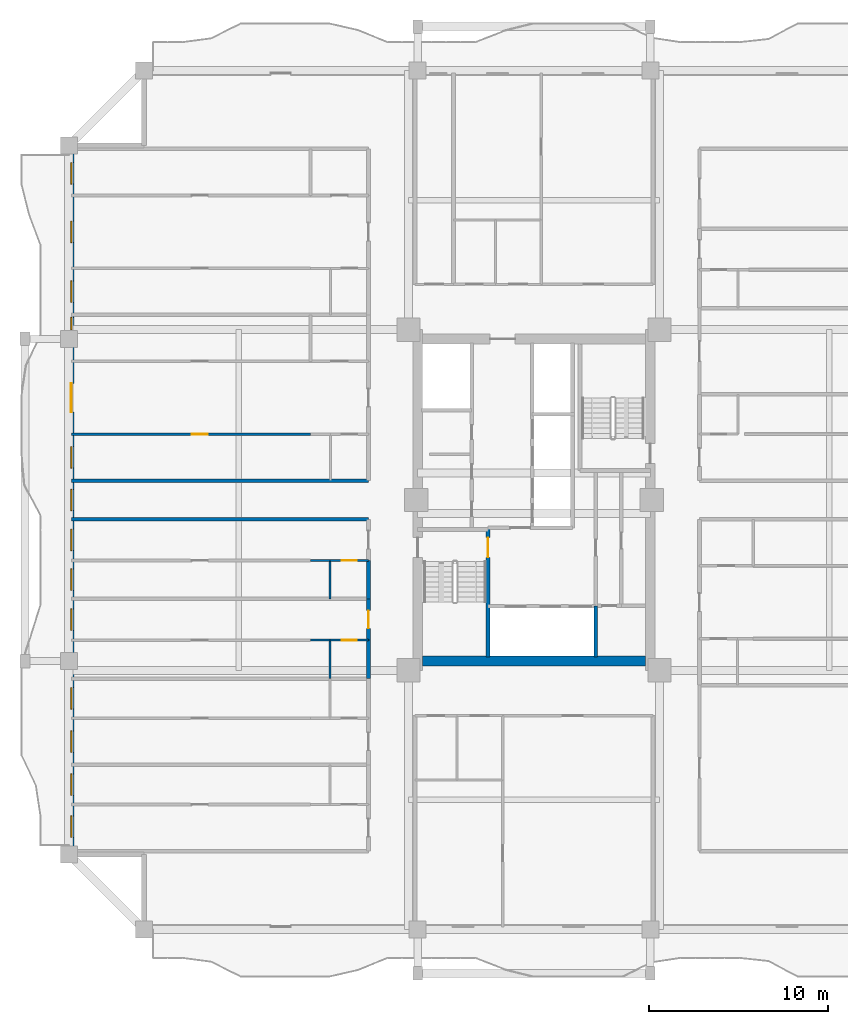
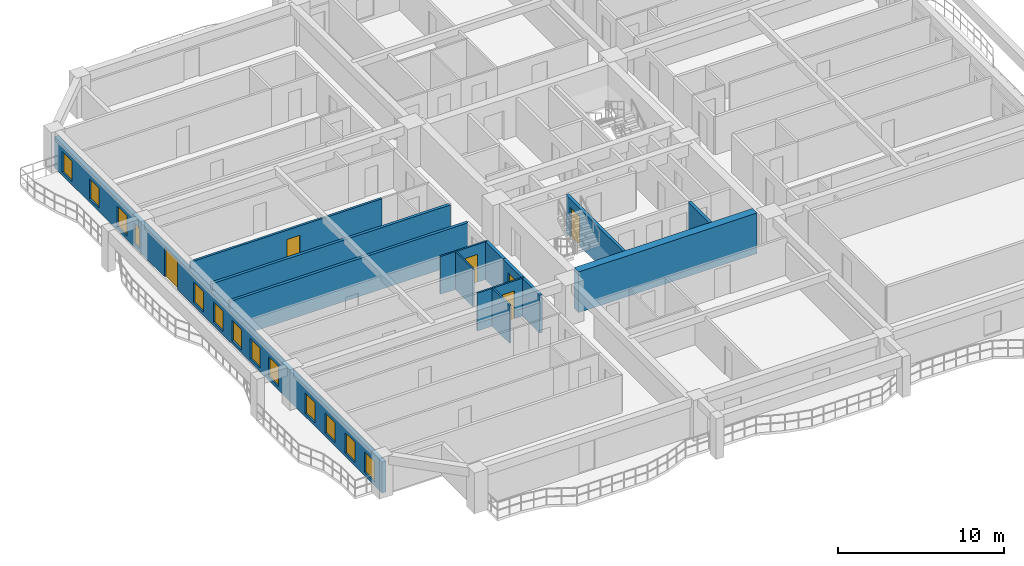
# One storey, part 3 of 13: 16 walls, 13 windows, 6 doors, 19 openings.
"""IFC4 building model written with IfcOpenShell, lengths in metres."""

import ifcopenshell
import ifcopenshell.guid

model = None  # the IFC model being written
_history = None  # IfcOwnerHistory: only IFC2X3 demands one
_inside = {}  # id of a spatial element -> (the spatial element, [elements in it])
_under = {}  # id of a project, library or spatial element -> (it, [spatial elements below it])
_declared = {}  # id of a project -> (the project, [libraries it declares])
_typed = {}  # id of a type object -> (the type object, [elements of that type])
_made_of = {}  # id of a material, layer set ... -> (it, [elements and type objects made of it])


def new_model(schema):
    """Start an empty IFC model of exactly this schema.

    Asked for "IFC4X3", IfcOpenShell would pick the latest addendum, in which some entities
    have other attributes; the version numbers below select the first issue.
    IFC2X3 requires an IfcOwnerHistory on every rooted entity: one is made here for all.
    """
    global model, _history
    if schema == "IFC4X3":
        model = ifcopenshell.file(schema_version=(4, 3, 0, 0))
    else:
        model = ifcopenshell.file(schema=schema)
    _inside.clear()
    _under.clear()
    _declared.clear()
    _typed.clear()
    _made_of.clear()
    _history = None
    if model.schema == "IFC2X3":
        org = make("IfcOrganization", Name="unknown")
        user = make(
            "IfcPersonAndOrganization",
            ThePerson=make("IfcPerson", FamilyName="unknown"),
            TheOrganization=org,
        )
        app = make(
            "IfcApplication",
            ApplicationDeveloper=org,
            Version="unknown",
            ApplicationFullName="unknown",
            ApplicationIdentifier="unknown",
        )
        _history = make(
            "IfcOwnerHistory",
            OwningUser=user,
            OwningApplication=app,
            ChangeAction="ADDED",
            CreationDate=0,
        )
    return model


def make(cls, **values):
    """One entity of the class cls with the attributes given. An attribute that is None is left unset."""
    return model.create_entity(
        cls, **{name: value for name, value in values.items() if value is not None}
    )


def rooted(cls, **values):
    """An entity with a GlobalId (a new one), such as an element, a storey or a relation."""
    return make(cls, GlobalId=ifcopenshell.guid.new(), OwnerHistory=_history, **values)


def si_unit(unit_type, name, prefix=None):
    """IfcSIUnit, for example si_unit("LENGTHUNIT", "METRE", prefix="MILLI")."""
    return make("IfcSIUnit", UnitType=unit_type, Prefix=prefix, Name=name)


def assignment(units):
    """IfcUnitAssignment: the units of a project."""
    return None if units is None else make("IfcUnitAssignment", Units=units)


def point(xyz):
    """IfcCartesianPoint."""
    return None if xyz is None else make("IfcCartesianPoint", Coordinates=xyz)


def direction(xyz):
    """IfcDirection."""
    return None if xyz is None else make("IfcDirection", DirectionRatios=xyz)


def frame(location, z_axis=None, x_axis=None):
    """IfcAxis2Placement3D, a coordinate frame: its origin and axes. An axis left out is left unset."""
    return make(
        "IfcAxis2Placement3D",
        Location=point(location),
        Axis=direction(z_axis),
        RefDirection=direction(x_axis),
    )


def frame_2d(location, x_axis=None):
    """IfcAxis2Placement2D, a coordinate frame in the plane: its origin and x axis."""
    return make(
        "IfcAxis2Placement2D", Location=point(location), RefDirection=direction(x_axis)
    )


def origin():
    """The frame at (0, 0, 0) with its axes left unset."""
    return frame((0.0, 0.0, 0.0))


def place(relative_to, where):
    """IfcLocalPlacement: puts the frame where relative to a parent placement (None: the world)."""
    return make(
        "IfcLocalPlacement", PlacementRelTo=relative_to, RelativePlacement=where
    )


def context(
    kind, dimensions, precision=None, world=None, true_north=None, identifier=None
):
    """IfcGeometricRepresentationContext, for example the 3D "Model" context."""
    return make(
        "IfcGeometricRepresentationContext",
        ContextIdentifier=identifier,
        ContextType=kind,
        CoordinateSpaceDimension=dimensions,
        Precision=precision,
        WorldCoordinateSystem=world,
        TrueNorth=true_north,
    )


def subcontext(parent, identifier, kind, view, scale=None):
    """IfcGeometricRepresentationSubContext, for example "Body" below "Model"."""
    return make(
        "IfcGeometricRepresentationSubContext",
        ContextIdentifier=identifier,
        ContextType=kind,
        ParentContext=parent,
        TargetScale=scale,
        TargetView=view,
    )


def project(units=None, contexts=None):
    """IfcProject with its units and contexts."""
    return rooted(
        "IfcProject",
        Name="project",
        RepresentationContexts=contexts,
        UnitsInContext=assignment(units),
    )


def spatial(cls, under=None, at=None, **own):
    """A site, building, storey or space (cls), placed at a placement, below another one or the project."""
    s = rooted(cls, ObjectPlacement=at, **own)
    if under is not None:
        _under.setdefault(under.id(), (under, []))[1].append(s)
    return s


def profile(cls, at=None, kind="AREA", **sizes):
    """A parametric profile (cls). Its sizes go by their IFC names, for example OverallWidth=200.0."""
    return make(cls, ProfileType=kind, Position=at, **sizes)


def rectangle(**sizes):
    """IfcRectangleProfileDef."""
    return profile("IfcRectangleProfileDef", **sizes)


def extrude(swept, where, along, depth):
    """IfcExtrudedAreaSolid: the profile swept, set in the frame where, extruded along a direction by depth."""
    return make(
        "IfcExtrudedAreaSolid",
        SweptArea=swept,
        Position=where,
        ExtrudedDirection=direction(along),
        Depth=depth,
    )


def shape(context_of_items, identifier, shape_type, items):
    """IfcShapeRepresentation: the items that make up one representation, for example the "Body"."""
    return make(
        "IfcShapeRepresentation",
        ContextOfItems=context_of_items,
        RepresentationIdentifier=identifier,
        RepresentationType=shape_type,
        Items=items,
    )


def source(mapping_origin, context_of_items, identifier, shape_type, items):
    """IfcRepresentationMap: a shape defined once, which mapped items show again and again."""
    return make(
        "IfcRepresentationMap",
        MappingOrigin=mapping_origin,
        MappedRepresentation=shape(context_of_items, identifier, shape_type, items),
    )


def transform(
    local_origin,
    x_axis=None,
    y_axis=None,
    z_axis=None,
    scale=None,
    scale2=None,
    scale3=None,
    uniform=True,
):
    """IfcCartesianTransformationOperator3D, or its non-uniform kind. x_axis, y_axis, z_axis: its Axis1, 2, 3."""
    if uniform:
        return make(
            "IfcCartesianTransformationOperator3D",
            Axis1=direction(x_axis),
            Axis2=direction(y_axis),
            LocalOrigin=point(local_origin),
            Scale=scale,
            Axis3=direction(z_axis),
        )
    return make(
        "IfcCartesianTransformationOperator3DnonUniform",
        Axis1=direction(x_axis),
        Axis2=direction(y_axis),
        LocalOrigin=point(local_origin),
        Scale=scale,
        Axis3=direction(z_axis),
        Scale2=scale2,
        Scale3=scale3,
    )


def mapped(mapping_source, mapping_target):
    """IfcMappedItem: shows the shape of a source again, moved by a transform."""
    return make(
        "IfcMappedItem", MappingSource=mapping_source, MappingTarget=mapping_target
    )


def material(Name=None, Category=None):
    """IfcMaterial."""
    return make("IfcMaterial", Name=Name, Category=Category)


def layer(
    of_material, thickness, ventilated=None, Name=None, Category=None, Priority=None
):
    """IfcMaterialLayer: one layer of a wall or slab, of a material (None: an air gap)."""
    return make(
        "IfcMaterialLayer",
        Material=of_material,
        LayerThickness=thickness,
        IsVentilated=ventilated,
        Name=Name,
        Category=Category,
        Priority=Priority,
    )


def layer_set(layers, Name=None):
    """IfcMaterialLayerSet."""
    return make("IfcMaterialLayerSet", MaterialLayers=layers, LayerSetName=Name)


def made_of(thing, what):
    """Note that an element or type object is made of a material, layer set ...; save() writes the relation."""
    if what is not None:
        _made_of.setdefault(what.id(), (what, []))[1].append(thing)
    return thing


def type_object(cls, material=None, **own):
    """A type object (cls), such as IfcWallType, which elements share."""
    return made_of(rooted(cls, **own), material)


def element(
    cls,
    number,
    at=None,
    inside=None,
    cuts=None,
    type_object=None,
    material=None,
    context=None,
    identifier="Body",
    shape_type=None,
    held_by="IfcProductDefinitionShape",
    body=None,
    shapes=None,
    **own,
):
    """One element of the class cls, such as IfcWall. Its Tag is "e" and its number.

    at: its placement. inside: the storey or other place that contains it. cuts: it is an
    opening in that element (IfcRelVoidsElement). A single representation is given by context,
    identifier, shape_type and body (its items); several are given by shapes. held_by: the class
    of the entity that holds the representations. save() writes the other relations.
    """
    e = rooted(cls, Tag="e%d" % number, ObjectPlacement=at, **own)
    if body is not None:
        shapes = [shape(context, identifier, shape_type, body)]
    if shapes is not None:
        e.Representation = make(held_by, Representations=shapes)
    if inside is not None:
        _inside.setdefault(inside.id(), (inside, []))[1].append(e)
    if cuts is not None:
        rooted(
            "IfcRelVoidsElement", RelatingBuildingElement=cuts, RelatedOpeningElement=e
        )
    if type_object is not None:
        _typed.setdefault(type_object.id(), (type_object, []))[1].append(e)
    return made_of(e, material)


def fill(opening, filler):
    """IfcRelFillsElement: the door or window that sits in an opening."""
    return rooted(
        "IfcRelFillsElement",
        RelatingOpeningElement=opening,
        RelatedBuildingElement=filler,
    )


def aggregate(whole, parts):
    """IfcRelAggregates: a whole, such as a stair, and the parts it consists of."""
    return rooted("IfcRelAggregates", RelatingObject=whole, RelatedObjects=parts)


def save(model, path):
    """Write the relations noted so far, then the file.

    IfcRelAggregates (storeys below a building ...), IfcRelContainedInSpatialStructure (elements
    in a storey), IfcRelDefinesByType, IfcRelAssociatesMaterial and IfcRelDeclares: one each for
    every whole, place, type object, material and project.
    """
    for whole, parts in _under.values():
        aggregate(whole, parts)
    for where, things in _inside.values():
        rooted(
            "IfcRelContainedInSpatialStructure",
            RelatedElements=things,
            RelatingStructure=where,
        )
    for kind, things in _typed.values():
        rooted("IfcRelDefinesByType", RelatedObjects=things, RelatingType=kind)
    for what, things in _made_of.values():
        rooted("IfcRelAssociatesMaterial", RelatedObjects=things, RelatingMaterial=what)
    for by, libraries in _declared.values():
        rooted("IfcRelDeclares", RelatingContext=by, RelatedDefinitions=libraries)
    model.write(path)


model = new_model("IFC4")

# Units and contexts
model_context = context("Model", 3, precision=1e-05, world=origin(), true_north=direction((0.0, 1.0)))
body_context = subcontext(model_context, "Body", "Model", "MODEL_VIEW")
ifc_project = project(units=[si_unit("LENGTHUNIT", "METRE"), si_unit("AREAUNIT", "SQUARE_METRE"), si_unit("VOLUMEUNIT", "CUBIC_METRE"), si_unit("PLANEANGLEUNIT", "RADIAN"), si_unit("MASSUNIT", "GRAM", prefix="KILO")], contexts=[model_context])

# Site, building, storey
site_placement = place(None, origin())
site = spatial("IfcSite", under=ifc_project, at=site_placement, CompositionType="ELEMENT")
building_placement = place(site_placement, origin())
building = spatial("IfcBuilding", under=site, at=building_placement, Name="Saelheon Loggia Tower", CompositionType="ELEMENT")
storey_placement = place(building_placement, frame((0.0, 0.0, 132.75)))
storey = spatial("IfcBuildingStorey", under=building, at=storey_placement, Name="L42", CompositionType="ELEMENT", Elevation=132.75)

# Wall
ifc_material_1 = material(Name="Concrete C50/60", Category="concrete")
ifc_layer_1 = layer(ifc_material_1, 0.550048828125)
ifc_layer_set_1 = layer_set([ifc_layer_1], Name="Concrete C50/60")
wall_type_1 = type_object("IfcWallType", Name="Wall_CoreShear_550", PredefinedType="SHEAR", material=ifc_layer_set_1)
wall_1_placement = place(storey_placement, frame((31.77490234375, 18.0, 0.0), z_axis=(0.0, 0.0, 1.0), x_axis=(1.0, 0.0, 0.0)))
element("IfcWall", 1, at=wall_1_placement, inside=storey, type_object=wall_type_1, Name="L42 Core Shear Wall South", PredefinedType="SHEAR", context=body_context, shape_type="SweptSolid", body=[
    extrude(rectangle(XDim=12.4501953125, YDim=0.550048828125, at=frame_2d((6.22509765625, 0.0))), origin(), (0.0, 0.0, 1.0), 3.0),
])

# Wall, openings, windows, door
ifc_material_2 = material(Name="Architectural Precast Concrete C40/50", Category="concrete")
ifc_layer_2 = layer(ifc_material_2, 0.280029296875)
ifc_layer_set_2 = layer_set([ifc_layer_2], Name="Architectural Precast Concrete C40/50")
wall_type_2 = type_object("IfcWallType", Name="Wall_Ext_Loggia_280", PredefinedType="SOLIDWALL", material=ifc_layer_set_2)
wall_2_placement = place(storey_placement, frame((12.139892578125, 7.199951171875, 0.0), z_axis=(0.0, 0.0, 1.0), x_axis=(0.0, 1.0, 0.0)))
wall_2 = element("IfcWall", 2, at=wall_2_placement, inside=storey, type_object=wall_type_2, Name="L42 West Loggia Inner Wall", PredefinedType="SOLIDWALL", context=body_context, shape_type="SweptSolid", body=[
    extrude(rectangle(XDim=39.60009765625, YDim=0.280029296875, at=frame_2d((19.800048828125, 0.0))), origin(), (0.0, 0.0, 1.0), 2.280029296875),
])
opening_1_placement = place(wall_2_placement, frame((0.948974609375, 0.0, 0.25)))
opening_1 = element("IfcOpeningElement", 3, at=opening_1_placement, cuts=wall_2, Name="Opening WN-03", PredefinedType="OPENING", context=body_context, shape_type="SweptSolid", body=[
    extrude(rectangle(XDim=1.199951171875, YDim=1.5, at=frame_2d((0.60009765625, 0.75))), frame((0.0, 0.152099609375, 0.0), z_axis=(0.0, -1.0, 0.0), x_axis=(1.0, 0.0, 0.0)), (0.0, 0.0, 1.0), 0.303955078125),
])
opening_2_placement = place(wall_2_placement, frame((3.291748046875, 0.0, 0.25)))
opening_2 = element("IfcOpeningElement", 4, at=opening_2_placement, cuts=wall_2, Name="Opening WN-03", PredefinedType="OPENING", context=body_context, shape_type="SweptSolid", body=[
    extrude(rectangle(XDim=1.199951171875, YDim=1.5, at=frame_2d((0.60009765625, 0.75))), frame((0.0, 0.152099609375, 0.0), z_axis=(0.0, -1.0, 0.0), x_axis=(1.0, 0.0, 0.0)), (0.0, 0.0, 1.0), 0.303955078125),
])
opening_3_placement = place(wall_2_placement, frame((5.701904296875, 0.0, 0.25)))
opening_3 = element("IfcOpeningElement", 5, at=opening_3_placement, cuts=wall_2, Name="Opening WN-03", PredefinedType="OPENING", context=body_context, shape_type="SweptSolid", body=[
    extrude(rectangle(XDim=1.199951171875, YDim=1.5, at=frame_2d((0.60009765625, 0.75))), frame((0.0, 0.152099609375, 0.0), z_axis=(0.0, -1.0, 0.0), x_axis=(1.0, 0.0, 0.0)), (0.0, 0.0, 1.0), 0.303955078125),
])
opening_4_placement = place(wall_2_placement, frame((8.112060546875, 0.0, 0.25)))
opening_4 = element("IfcOpeningElement", 6, at=opening_4_placement, cuts=wall_2, Name="Opening WN-03", PredefinedType="OPENING", context=body_context, shape_type="SweptSolid", body=[
    extrude(rectangle(XDim=1.199951171875, YDim=1.5, at=frame_2d((0.60009765625, 0.75))), frame((0.0, 0.152099609375, 0.0), z_axis=(0.0, -1.0, 0.0), x_axis=(1.0, 0.0, 0.0)), (0.0, 0.0, 1.0), 0.303955078125),
])
opening_5_placement = place(wall_2_placement, frame((12.5205078125, 0.0, 0.25)))
opening_5 = element("IfcOpeningElement", 7, at=opening_5_placement, cuts=wall_2, Name="Opening WN-03", PredefinedType="OPENING", context=body_context, shape_type="SweptSolid", body=[
    extrude(rectangle(XDim=1.199951171875, YDim=1.5, at=frame_2d((0.60009765625, 0.75))), frame((0.0, 0.152099609375, 0.0), z_axis=(0.0, -1.0, 0.0), x_axis=(1.0, 0.0, 0.0)), (0.0, 0.0, 1.0), 0.303955078125),
])
opening_6_placement = place(wall_2_placement, frame((14.745361328125, 0.0, 0.25)))
opening_6 = element("IfcOpeningElement", 8, at=opening_6_placement, cuts=wall_2, Name="Opening WN-03", PredefinedType="OPENING", context=body_context, shape_type="SweptSolid", body=[
    extrude(rectangle(XDim=1.199951171875, YDim=1.5, at=frame_2d((0.60009765625, 0.75))), frame((0.0, 0.152099609375, 0.0), z_axis=(0.0, -1.0, 0.0), x_axis=(1.0, 0.0, 0.0)), (0.0, 0.0, 1.0), 0.303955078125),
])
opening_7_placement = place(wall_2_placement, frame((16.97021484375, 0.0, 0.25)))
opening_7 = element("IfcOpeningElement", 9, at=opening_7_placement, cuts=wall_2, Name="Opening WN-03", PredefinedType="OPENING", context=body_context, shape_type="SweptSolid", body=[
    extrude(rectangle(XDim=1.199951171875, YDim=1.5, at=frame_2d((0.60009765625, 0.75))), frame((0.0, 0.152099609375, 0.0), z_axis=(0.0, -1.0, 0.0), x_axis=(1.0, 0.0, 0.0)), (0.0, 0.0, 1.0), 0.303955078125),
])
opening_8_placement = place(wall_2_placement, frame((19.199951171875, 0.0, 0.25)))
opening_8 = element("IfcOpeningElement", 10, at=opening_8_placement, cuts=wall_2, Name="Opening WN-03", PredefinedType="OPENING", context=body_context, shape_type="SweptSolid", body=[
    extrude(rectangle(XDim=1.199951171875, YDim=1.5, at=frame_2d((0.60009765625, 0.75))), frame((0.0, 0.152099609375, 0.0), z_axis=(0.0, -1.0, 0.0), x_axis=(1.0, 0.0, 0.0)), (0.0, 0.0, 1.0), 0.303955078125),
])
opening_9_placement = place(wall_2_placement, frame((21.577880859375, 0.0, 0.25)))
opening_9 = element("IfcOpeningElement", 11, at=opening_9_placement, cuts=wall_2, Name="Opening WN-03", PredefinedType="OPENING", context=body_context, shape_type="SweptSolid", body=[
    extrude(rectangle(XDim=1.199951171875, YDim=1.5, at=frame_2d((0.60009765625, 0.75))), frame((0.0, 0.152099609375, 0.0), z_axis=(0.0, -1.0, 0.0), x_axis=(1.0, 0.0, 0.0)), (0.0, 0.0, 1.0), 0.303955078125),
])
opening_10_placement = place(wall_2_placement, frame((24.712890625, 0.0, 0.0)))
opening_10 = element("IfcOpeningElement", 12, at=opening_10_placement, cuts=wall_2, Name="Opening DLG-1", PredefinedType="OPENING", context=body_context, shape_type="SweptSolid", body=[
    extrude(rectangle(XDim=1.60009765625, YDim=2.14990234375, at=frame_2d((0.800048828125, 1.074951171875))), frame((0.0, 0.152099609375, 0.0), z_axis=(0.0, -1.0, 0.0), x_axis=(1.0, 0.0, 0.0)), (0.0, 0.0, 1.0), 0.303955078125),
])
opening_11_placement = place(wall_2_placement, frame((29.304931640625, 0.0, 0.25)))
opening_11 = element("IfcOpeningElement", 13, at=opening_11_placement, cuts=wall_2, Name="Opening WN-06", PredefinedType="OPENING", context=body_context, shape_type="SweptSolid", body=[
    extrude(rectangle(XDim=0.699951171875, YDim=1.5, at=frame_2d((0.35009765625, 0.75))), frame((0.0, 0.152099609375, 0.0), z_axis=(0.0, -1.0, 0.0), x_axis=(1.0, 0.0, 0.0)), (0.0, 0.0, 1.0), 0.303955078125),
])
opening_12_placement = place(wall_2_placement, frame((30.847900390625, 0.0, 0.25)))
opening_12 = element("IfcOpeningElement", 14, at=opening_12_placement, cuts=wall_2, Name="Opening WN-03", PredefinedType="OPENING", context=body_context, shape_type="SweptSolid", body=[
    extrude(rectangle(XDim=1.199951171875, YDim=1.5, at=frame_2d((0.60009765625, 0.75))), frame((0.0, 0.152099609375, 0.0), z_axis=(0.0, -1.0, 0.0), x_axis=(1.0, 0.0, 0.0)), (0.0, 0.0, 1.0), 0.303955078125),
])
opening_13_placement = place(wall_2_placement, frame((34.182861328125, 0.0, 0.25)))
opening_13 = element("IfcOpeningElement", 15, at=opening_13_placement, cuts=wall_2, Name="Opening WN-03", PredefinedType="OPENING", context=body_context, shape_type="SweptSolid", body=[
    extrude(rectangle(XDim=1.199951171875, YDim=1.5, at=frame_2d((0.60009765625, 0.75))), frame((0.0, 0.152099609375, 0.0), z_axis=(0.0, -1.0, 0.0), x_axis=(1.0, 0.0, 0.0)), (0.0, 0.0, 1.0), 0.303955078125),
])
opening_14_placement = place(wall_2_placement, frame((37.452392578125, 0.0, 0.25)))
opening_14 = element("IfcOpeningElement", 16, at=opening_14_placement, cuts=wall_2, Name="Opening WN-03", PredefinedType="OPENING", context=body_context, shape_type="SweptSolid", body=[
    extrude(rectangle(XDim=1.199951171875, YDim=1.5, at=frame_2d((0.60009765625, 0.75))), frame((0.0, 0.152099609375, 0.0), z_axis=(0.0, -1.0, 0.0), x_axis=(1.0, 0.0, 0.0)), (0.0, 0.0, 1.0), 0.303955078125),
])
ifc_material_3 = material(Name="Thermal-Break Aluminium and Triple Low-E Glass", Category="aluminium")
window_type_1 = type_object("IfcWindowType", Name="Win_Slot_700x1500", PartitioningType="SINGLE_PANEL", PredefinedType="WINDOW", material=ifc_material_3)
shared_shape_1 = source(origin(), body_context, "Body", "SweptSolid", [
    extrude(rectangle(XDim=0.699951171875, YDim=1.5, at=frame_2d((0.35009765625, 0.75))), frame((0.0, 0.030029296875, 0.0), z_axis=(0.0, -1.0, 0.0), x_axis=(1.0, 0.0, 0.0)), (0.0, 0.0, 1.0), 0.06005859375),
])
window_1_placement = place(opening_11_placement, origin())
window_1 = element("IfcWindow", 17, at=window_1_placement, inside=storey, type_object=window_type_1, Name="L42 W Dwelling Window 11", OverallHeight=1.5, OverallWidth=0.699951171875, PartitioningType="SINGLE_PANEL", PredefinedType="WINDOW", context=body_context, shape_type="MappedRepresentation", body=[
    mapped(shared_shape_1, transform((0.0, 0.0, 0.0), scale=1.0)),
])
fill(opening_11, window_1)
window_type_2 = type_object("IfcWindowType", Name="Win_Bedroom_1200x1500", PartitioningType="SINGLE_PANEL", PredefinedType="WINDOW", material=ifc_material_3)
shared_shape_2 = source(origin(), body_context, "Body", "SweptSolid", [
    extrude(rectangle(XDim=1.199951171875, YDim=1.5, at=frame_2d((0.60009765625, 0.75))), frame((0.0, 0.030029296875, 0.0), z_axis=(0.0, -1.0, 0.0), x_axis=(1.0, 0.0, 0.0)), (0.0, 0.0, 1.0), 0.06005859375),
])
window_2_placement = place(opening_1_placement, origin())
window_2 = element("IfcWindow", 18, at=window_2_placement, inside=storey, type_object=window_type_2, Name="L42 W Dwelling Window 1", OverallHeight=1.5, OverallWidth=1.199951171875, PartitioningType="SINGLE_PANEL", PredefinedType="WINDOW", context=body_context, shape_type="MappedRepresentation", body=[
    mapped(shared_shape_2, transform((0.0, 0.0, 0.0), scale=1.0)),
])
fill(opening_1, window_2)
window_3_placement = place(opening_2_placement, origin())
window_3 = element("IfcWindow", 19, at=window_3_placement, inside=storey, type_object=window_type_2, Name="L42 W Dwelling Window 2", OverallHeight=1.5, OverallWidth=1.199951171875, PartitioningType="SINGLE_PANEL", PredefinedType="WINDOW", context=body_context, shape_type="MappedRepresentation", body=[
    mapped(shared_shape_2, transform((0.0, 0.0, 0.0), scale=1.0)),
])
fill(opening_2, window_3)
window_4_placement = place(opening_3_placement, origin())
window_4 = element("IfcWindow", 20, at=window_4_placement, inside=storey, type_object=window_type_2, Name="L42 W Dwelling Window 3", OverallHeight=1.5, OverallWidth=1.199951171875, PartitioningType="SINGLE_PANEL", PredefinedType="WINDOW", context=body_context, shape_type="MappedRepresentation", body=[
    mapped(shared_shape_2, transform((0.0, 0.0, 0.0), scale=1.0)),
])
fill(opening_3, window_4)
window_5_placement = place(opening_4_placement, origin())
window_5 = element("IfcWindow", 21, at=window_5_placement, inside=storey, type_object=window_type_2, Name="L42 W Dwelling Window 4", OverallHeight=1.5, OverallWidth=1.199951171875, PartitioningType="SINGLE_PANEL", PredefinedType="WINDOW", context=body_context, shape_type="MappedRepresentation", body=[
    mapped(shared_shape_2, transform((0.0, 0.0, 0.0), scale=1.0)),
])
fill(opening_4, window_5)
window_6_placement = place(opening_5_placement, origin())
window_6 = element("IfcWindow", 22, at=window_6_placement, inside=storey, type_object=window_type_2, Name="L42 W Dwelling Window 5", OverallHeight=1.5, OverallWidth=1.199951171875, PartitioningType="SINGLE_PANEL", PredefinedType="WINDOW", context=body_context, shape_type="MappedRepresentation", body=[
    mapped(shared_shape_2, transform((0.0, 0.0, 0.0), scale=1.0)),
])
fill(opening_5, window_6)
window_7_placement = place(opening_6_placement, origin())
window_7 = element("IfcWindow", 23, at=window_7_placement, inside=storey, type_object=window_type_2, Name="L42 W Dwelling Window 6", OverallHeight=1.5, OverallWidth=1.199951171875, PartitioningType="SINGLE_PANEL", PredefinedType="WINDOW", context=body_context, shape_type="MappedRepresentation", body=[
    mapped(shared_shape_2, transform((0.0, 0.0, 0.0), scale=1.0)),
])
fill(opening_6, window_7)
window_8_placement = place(opening_7_placement, origin())
window_8 = element("IfcWindow", 24, at=window_8_placement, inside=storey, type_object=window_type_2, Name="L42 W Dwelling Window 7", OverallHeight=1.5, OverallWidth=1.199951171875, PartitioningType="SINGLE_PANEL", PredefinedType="WINDOW", context=body_context, shape_type="MappedRepresentation", body=[
    mapped(shared_shape_2, transform((0.0, 0.0, 0.0), scale=1.0)),
])
fill(opening_7, window_8)
window_9_placement = place(opening_8_placement, origin())
window_9 = element("IfcWindow", 25, at=window_9_placement, inside=storey, type_object=window_type_2, Name="L42 W Dwelling Window 8", OverallHeight=1.5, OverallWidth=1.199951171875, PartitioningType="SINGLE_PANEL", PredefinedType="WINDOW", context=body_context, shape_type="MappedRepresentation", body=[
    mapped(shared_shape_2, transform((0.0, 0.0, 0.0), scale=1.0)),
])
fill(opening_8, window_9)
window_10_placement = place(opening_9_placement, origin())
window_10 = element("IfcWindow", 26, at=window_10_placement, inside=storey, type_object=window_type_2, Name="L42 W Dwelling Window 9", OverallHeight=1.5, OverallWidth=1.199951171875, PartitioningType="SINGLE_PANEL", PredefinedType="WINDOW", context=body_context, shape_type="MappedRepresentation", body=[
    mapped(shared_shape_2, transform((0.0, 0.0, 0.0), scale=1.0)),
])
fill(opening_9, window_10)
window_11_placement = place(opening_12_placement, origin())
window_11 = element("IfcWindow", 27, at=window_11_placement, inside=storey, type_object=window_type_2, Name="L42 W Dwelling Window 12", OverallHeight=1.5, OverallWidth=1.199951171875, PartitioningType="SINGLE_PANEL", PredefinedType="WINDOW", context=body_context, shape_type="MappedRepresentation", body=[
    mapped(shared_shape_2, transform((0.0, 0.0, 0.0), scale=1.0)),
])
fill(opening_12, window_11)
window_12_placement = place(opening_13_placement, origin())
window_12 = element("IfcWindow", 28, at=window_12_placement, inside=storey, type_object=window_type_2, Name="L42 W Dwelling Window 13", OverallHeight=1.5, OverallWidth=1.199951171875, PartitioningType="SINGLE_PANEL", PredefinedType="WINDOW", context=body_context, shape_type="MappedRepresentation", body=[
    mapped(shared_shape_2, transform((0.0, 0.0, 0.0), scale=1.0)),
])
fill(opening_13, window_12)
window_13_placement = place(opening_14_placement, origin())
window_13 = element("IfcWindow", 29, at=window_13_placement, inside=storey, type_object=window_type_2, Name="L42 W Dwelling Window 14", OverallHeight=1.5, OverallWidth=1.199951171875, PartitioningType="SINGLE_PANEL", PredefinedType="WINDOW", context=body_context, shape_type="MappedRepresentation", body=[
    mapped(shared_shape_2, transform((0.0, 0.0, 0.0), scale=1.0)),
])
fill(opening_14, window_13)
ifc_material_4 = material(Name="Thermal-Break Aluminium Sliding Glazed Door", Category="aluminium")
door_type_1 = type_object("IfcDoorType", Name="Door_LoggiaSlide_1600", OperationType="SLIDING_TO_LEFT", PredefinedType="DOOR", material=ifc_material_4)
shared_shape_3 = source(origin(), body_context, "Body", "SweptSolid", [
    extrude(rectangle(XDim=1.60009765625, YDim=2.14990234375, at=frame_2d((0.800048828125, 1.074951171875))), frame((0.0, 0.02490234375, 0.0), z_axis=(0.0, -1.0, 0.0), x_axis=(1.0, 0.0, 0.0)), (0.0, 0.0, 1.0), 0.050048828125),
])
door_1_placement = place(opening_10_placement, origin())
door_1 = element("IfcDoor", 30, at=door_1_placement, inside=storey, type_object=door_type_1, Name="L42 W Loggia Access Door", OperationType="SLIDING_TO_LEFT", OverallHeight=2.14990234375, OverallWidth=1.60009765625, PredefinedType="DOOR", context=body_context, shape_type="MappedRepresentation", body=[
    mapped(shared_shape_3, transform((0.0, 0.0, 0.0), scale=1.0)),
])
fill(opening_10, door_1)

# Wall, opening, door
ifc_material_5 = material(Name="Lightweight Autoclaved Aerated Concrete Block and Acoustic Gypsum", Category="concrete")
ifc_layer_3 = layer(ifc_material_5, 0.14990234375)
ifc_layer_set_3 = layer_set([ifc_layer_3], Name="Lightweight Autoclaved Aerated Concrete Block and Acoustic Gypsum")
wall_type_3 = type_object("IfcWallType", Name="Wall_Part_150", PredefinedType="PARTITIONING", material=ifc_layer_set_3)
wall_3_placement = place(storey_placement, frame((25.510009765625, 30.675537109375, 0.0), z_axis=(0.0, 0.0, 1.0), x_axis=(-1.0, 0.0, 0.0)))
wall_3 = element("IfcWall", 31, at=wall_3_placement, inside=storey, type_object=wall_type_3, Name="L42 WN Partition U10", PredefinedType="PARTITIONING", context=body_context, shape_type="SweptSolid", body=[
    extrude(rectangle(XDim=13.360107421875, YDim=0.14990234375, at=frame_2d((6.68017578125, 0.0))), origin(), (0.0, 0.0, 1.0), 2.7900390625),
])
opening_15_placement = place(wall_3_placement, frame((5.730712890625, 0.0, 0.0)))
opening_15 = element("IfcOpeningElement", 32, at=opening_15_placement, cuts=wall_3, Name="Opening D-IN2", PredefinedType="OPENING", context=body_context, shape_type="SweptSolid", body=[
    extrude(rectangle(XDim=0.89990234375, YDim=2.10009765625, at=frame_2d((0.449951171875, 1.050048828125))), frame((0.0, 0.0869140625, 0.0), z_axis=(0.0, -1.0, 0.0), x_axis=(1.0, 0.0, 0.0)), (0.0, 0.0, 1.0), 0.173828125),
])
ifc_material_6 = material(Name="Engineered Oak Flush Door", Category="timber")
door_type_2 = type_object("IfcDoorType", Name="Door_Int_900", OperationType="NOTDEFINED", PredefinedType="DOOR", material=ifc_material_6)
shared_shape_4 = source(origin(), body_context, "Body", "SweptSolid", [
    extrude(rectangle(XDim=0.89990234375, YDim=2.10009765625, at=frame_2d((0.449951171875, 1.050048828125))), frame((0.0, 0.02490234375, 0.0), z_axis=(0.0, -1.0, 0.0), x_axis=(1.0, 0.0, 0.0)), (0.0, 0.0, 1.0), 0.050048828125),
])
door_2_placement = place(opening_15_placement, origin())
door_2 = element("IfcDoor", 33, at=door_2_placement, inside=storey, type_object=door_type_2, Name="Unit U05 Kitchen Door", OperationType="SINGLE_SWING_LEFT", OverallHeight=2.10009765625, OverallWidth=0.89990234375, PredefinedType="DOOR", context=body_context, shape_type="MappedRepresentation", body=[
    mapped(shared_shape_4, transform((0.0, 0.0, 0.0), scale=1.0)),
])
fill(opening_15, door_2)

# Walls
ifc_material_7 = material(Name="Double Acoustic Stud and Fireboard Partition", Category="gypsum")
ifc_layer_4 = layer(ifc_material_7, 0.199951171875)
ifc_layer_set_4 = layer_set([ifc_layer_4], Name="Double Acoustic Stud and Fireboard Partition")
wall_type_4 = type_object("IfcWallType", Name="Wall_Party_200", PredefinedType="PARTITIONING", material=ifc_layer_set_4)
wall_4_placement = place(storey_placement, frame((28.75, 25.919921875, 0.0), z_axis=(0.0, 0.0, 1.0), x_axis=(-1.0, 0.0, 0.0)))
element("IfcWall", 34, at=wall_4_placement, inside=storey, type_object=wall_type_4, Name="L42 WS Partition U02", PredefinedType="PARTITIONING", context=body_context, shape_type="SweptSolid", body=[
    extrude(rectangle(XDim=16.60009765625, YDim=0.199951171875, at=frame_2d((8.300048828125, 0.0))), origin(), (0.0, 0.0, 1.0), 2.7900390625),
])
wall_5_placement = place(storey_placement, frame((28.75, 17.020751953125, 0.0), z_axis=(0.0, 0.0, 1.0), x_axis=(0.0, 1.0, 0.0)))
element("IfcWall", 35, at=wall_5_placement, inside=storey, type_object=wall_type_4, Name="L42 WS Partition V17", PredefinedType="PARTITIONING", context=body_context, shape_type="SweptSolid", body=[
    extrude(rectangle(XDim=2.150146484375, YDim=0.199951171875, at=frame_2d((1.0751953125, 0.0))), origin(), (0.0, 0.0, 1.0), 2.7900390625),
])

# Wall, opening, door
wall_6_placement = place(storey_placement, frame((28.75, 19.1708984375, 0.0), z_axis=(0.0, 0.0, 1.0), x_axis=(0.0, 1.0, 0.0)))
wall_6 = element("IfcWall", 36, at=wall_6_placement, inside=storey, type_object=wall_type_4, Name="L42 WS Partition V18", PredefinedType="PARTITIONING", context=body_context, shape_type="SweptSolid", body=[
    extrude(rectangle(XDim=2.299560546875, YDim=0.199951171875, at=frame_2d((1.14990234375, 0.0))), origin(), (0.0, 0.0, 1.0), 2.7900390625),
])
opening_16_placement = place(wall_6_placement, frame((0.64990234375, 0.0, 0.0)))
opening_16 = element("IfcOpeningElement", 37, at=opening_16_placement, cuts=wall_6, Name="Opening D-FD1", PredefinedType="OPENING", context=body_context, shape_type="SweptSolid", body=[
    extrude(rectangle(XDim=1.0, YDim=2.14990234375, at=frame_2d((0.5, 1.074951171875))), frame((0.0, 0.112060546875, 0.0), z_axis=(0.0, -1.0, 0.0), x_axis=(1.0, 0.0, 0.0)), (0.0, 0.0, 1.0), 0.223876953125),
])
ifc_material_8 = material(Name="Fire-Rated Engineered Timber Entrance Door", Category="wood")
door_type_3 = type_object("IfcDoorType", Name="Door_Flat_FD30S", OperationType="NOTDEFINED", PredefinedType="DOOR", material=ifc_material_8)
shared_shape_5 = source(origin(), body_context, "Body", "SweptSolid", [
    extrude(rectangle(XDim=1.0, YDim=2.14990234375, at=frame_2d((0.5, 1.074951171875))), frame((0.0, 0.02490234375, 0.0), z_axis=(0.0, -1.0, 0.0), x_axis=(1.0, 0.0, 0.0)), (0.0, 0.0, 1.0), 0.050048828125),
])
door_3_placement = place(opening_16_placement, origin())
door_3 = element("IfcDoor", 38, at=door_3_placement, inside=storey, type_object=door_type_3, Name="Unit U03 Entrance Door", OperationType="SINGLE_SWING_LEFT", OverallHeight=2.14990234375, OverallWidth=1.0, PredefinedType="DOOR", context=body_context, shape_type="MappedRepresentation", body=[
    mapped(shared_shape_5, transform((0.0, 0.0, 0.0), scale=1.0)),
])
fill(opening_16, door_3)

# Walls
wall_7_placement = place(storey_placement, frame((28.75, 21.470458984375, 0.0), z_axis=(0.0, 0.0, 1.0), x_axis=(0.0, 1.0, 0.0)))
element("IfcWall", 39, at=wall_7_placement, inside=storey, type_object=wall_type_4, Name="L42 WS Partition V24", PredefinedType="PARTITIONING", context=body_context, shape_type="SweptSolid", body=[
    extrude(rectangle(XDim=2.14990234375, YDim=0.199951171875, at=frame_2d((1.074951171875, 0.0))), origin(), (0.0, 0.0, 1.0), 2.7900390625),
])
wall_8_placement = place(storey_placement, frame((28.75, 28.080078125, 0.0), z_axis=(0.0, 0.0, 1.0), x_axis=(-1.0, 0.0, 0.0)))
element("IfcWall", 40, at=wall_8_placement, inside=storey, type_object=wall_type_4, Name="L42 WN Partition U01", PredefinedType="PARTITIONING", context=body_context, shape_type="SweptSolid", body=[
    extrude(rectangle(XDim=16.60009765625, YDim=0.199951171875, at=frame_2d((8.300048828125, 0.0))), origin(), (0.0, 0.0, 1.0), 2.7900390625),
])
ifc_material_9 = material(Name="Concrete C40/50", Category="concrete")
ifc_layer_5 = layer(ifc_material_9, 0.199951171875)
ifc_layer_set_5 = layer_set([ifc_layer_5], Name="Concrete C40/50")
wall_type_5 = type_object("IfcWallType", Name="Wall_Shaft_200", PredefinedType="PARTITIONING", material=ifc_layer_set_5)
wall_9_placement = place(storey_placement, frame((41.449951171875, 18.219970703125, 0.0), z_axis=(0.0, 0.0, 1.0), x_axis=(0.0, 1.0, 0.0)))
element("IfcWall", 41, at=wall_9_placement, inside=storey, type_object=wall_type_5, Name="CW-INT-L42-BOH-W0", PredefinedType="PARTITIONING", context=body_context, shape_type="SweptSolid", body=[
    extrude(rectangle(XDim=2.860107421875, YDim=0.199951171875, at=frame_2d((1.43017578125, 0.0))), origin(), (0.0, 0.0, 1.0), 2.7900390625),
])

# Wall, opening, door
ifc_material_10 = material(Name="Concrete C45/55", Category="concrete")
ifc_layer_6 = layer(ifc_material_10, 0.199951171875)
ifc_layer_set_6 = layer_set([ifc_layer_6], Name="Concrete C45/55")
wall_type_6 = type_object("IfcWallType", Name="Wall_StairShaft_RC200", PredefinedType="SOLIDWALL", material=ifc_layer_set_6)
wall_10_placement = place(storey_placement, frame((35.429931640625, 18.219970703125, 0.0), z_axis=(0.0, 0.0, 1.0), x_axis=(0.0, 1.0, 0.0)))
wall_10 = element("IfcWall", 42, at=wall_10_placement, inside=storey, type_object=wall_type_6, Name="L42 Stair ST1 Shaft Wall", PredefinedType="SOLIDWALL", context=body_context, shape_type="SweptSolid", body=[
    extrude(rectangle(XDim=7.219970703125, YDim=0.199951171875, at=frame_2d((3.60986328125, 0.0))), origin(), (0.0, 0.0, 1.0), 2.7900390625),
])
opening_17_placement = place(wall_10_placement, frame((6.68017578125, 0.0, 0.0), z_axis=(0.0, 0.0, 1.0), x_axis=(-1.0, 0.0, 0.0)))
opening_17 = element("IfcOpeningElement", 43, at=opening_17_placement, cuts=wall_10, Name="Opening D-FD2", PredefinedType="OPENING", context=body_context, shape_type="SweptSolid", body=[
    extrude(rectangle(XDim=1.10009765625, YDim=2.14990234375, at=frame_2d((0.550048828125, 1.074951171875))), frame((0.0, 0.112060546875, 0.0), z_axis=(0.0, -1.0, 0.0), x_axis=(1.0, 0.0, 0.0)), (0.0, 0.0, 1.0), 0.223876953125),
])
ifc_material_11 = material(Name="Galvanised Steel Fire Door", Category="steel")
door_type_4 = type_object("IfcDoorType", Name="Door_Fire_FD60_1100", OperationType="NOTDEFINED", PredefinedType="DOOR", material=ifc_material_11)
shared_shape_6 = source(origin(), body_context, "Body", "SweptSolid", [
    extrude(rectangle(XDim=1.10009765625, YDim=2.14990234375, at=frame_2d((0.550048828125, 1.074951171875))), frame((0.0, 0.02490234375, 0.0), z_axis=(0.0, -1.0, 0.0), x_axis=(1.0, 0.0, 0.0)), (0.0, 0.0, 1.0), 0.050048828125),
])
door_4_placement = place(opening_17_placement, origin())
door_4 = element("IfcDoor", 44, at=door_4_placement, inside=storey, type_object=door_type_4, Name="L42 Stair ST1 Lobby Door", OperationType="SINGLE_SWING_RIGHT", OverallHeight=2.14990234375, OverallWidth=1.10009765625, PredefinedType="DOOR", context=body_context, shape_type="MappedRepresentation", body=[
    mapped(shared_shape_6, transform((0.0, 0.0, 0.0), scale=1.0)),
])
fill(opening_17, door_4)

ifc_material_12 = material(Name="Moisture-Resistant Cement Board Partition", Category="gypsum")
ifc_layer_7 = layer(ifc_material_12, 0.1201171875)
ifc_layer_set_7 = layer_set([ifc_layer_7], Name="Moisture-Resistant Cement Board Partition")
wall_type_7 = type_object("IfcWallType", Name="Wall_WetPart_120", PredefinedType="PARTITIONING", material=ifc_layer_set_7)
wall_11_placement = place(storey_placement, frame((28.75, 19.1708984375, 0.0), z_axis=(0.0, 0.0, 1.0), x_axis=(-1.0, 0.0, 0.0)))
wall_11 = element("IfcWall", 45, at=wall_11_placement, inside=storey, type_object=wall_type_7, Name="L42 WS Partition U19", PredefinedType="PARTITIONING", context=body_context, shape_type="SweptSolid", body=[
    extrude(rectangle(XDim=2.14990234375, YDim=0.1201171875, at=frame_2d((1.074951171875, 0.0))), origin(), (0.0, 0.0, 1.0), 2.7900390625),
])
opening_18_placement = place(wall_11_placement, frame((0.64990234375, 0.0, 0.0)))
opening_18 = element("IfcOpeningElement", 46, at=opening_18_placement, cuts=wall_11, Name="Opening D-BT1", PredefinedType="OPENING", context=body_context, shape_type="SweptSolid", body=[
    extrude(rectangle(XDim=0.85009765625, YDim=2.050048828125, at=frame_2d((0.425048828125, 1.02490234375))), frame((0.0, 0.072021484375, 0.0), z_axis=(0.0, -1.0, 0.0), x_axis=(1.0, 0.0, 0.0)), (0.0, 0.0, 1.0), 0.14404296875),
])
ifc_material_13 = material(Name="Moisture-Resistant Laminate Timber Door", Category="wood")
door_type_5 = type_object("IfcDoorType", Name="Door_Bath_850", OperationType="NOTDEFINED", PredefinedType="DOOR", material=ifc_material_13)
shared_shape_7 = source(origin(), body_context, "Body", "SweptSolid", [
    extrude(rectangle(XDim=0.85009765625, YDim=2.050048828125, at=frame_2d((0.425048828125, 1.02490234375))), frame((0.0, 0.02490234375, 0.0), z_axis=(0.0, -1.0, 0.0), x_axis=(1.0, 0.0, 0.0)), (0.0, 0.0, 1.0), 0.050048828125),
])
door_5_placement = place(opening_18_placement, origin())
door_5 = element("IfcDoor", 47, at=door_5_placement, inside=storey, type_object=door_type_5, Name="Unit U03 Bathroom Door", OperationType="SINGLE_SWING_RIGHT", OverallHeight=2.050048828125, OverallWidth=0.85009765625, PredefinedType="DOOR", context=body_context, shape_type="MappedRepresentation", body=[
    mapped(shared_shape_7, transform((0.0, 0.0, 0.0), scale=1.0)),
])
fill(opening_18, door_5)

# Walls
wall_12_placement = place(storey_placement, frame((26.60009765625, 19.1708984375, 0.0), z_axis=(0.0, 0.0, 1.0), x_axis=(-1.0, 0.0, 0.0)))
element("IfcWall", 48, at=wall_12_placement, inside=storey, type_object=wall_type_7, Name="L42 WS Partition U20", PredefinedType="PARTITIONING", context=body_context, shape_type="SweptSolid", body=[
    extrude(rectangle(XDim=1.090087890625, YDim=0.1201171875, at=frame_2d((0.544921875, 0.0))), origin(), (0.0, 0.0, 1.0), 2.7900390625),
])
wall_13_placement = place(storey_placement, frame((26.60009765625, 17.020751953125, 0.0), z_axis=(0.0, 0.0, 1.0), x_axis=(0.0, 1.0, 0.0)))
element("IfcWall", 49, at=wall_13_placement, inside=storey, type_object=wall_type_7, Name="L42 WS Partition V21", PredefinedType="PARTITIONING", context=body_context, shape_type="SweptSolid", body=[
    extrude(rectangle(XDim=2.150146484375, YDim=0.1201171875, at=frame_2d((1.0751953125, 0.0))), origin(), (0.0, 0.0, 1.0), 2.7900390625),
])

# Wall, opening, door
wall_14_placement = place(storey_placement, frame((28.75, 23.620361328125, 0.0), z_axis=(0.0, 0.0, 1.0), x_axis=(-1.0, 0.0, 0.0)))
wall_14 = element("IfcWall", 50, at=wall_14_placement, inside=storey, type_object=wall_type_7, Name="L42 WS Partition U26", PredefinedType="PARTITIONING", context=body_context, shape_type="SweptSolid", body=[
    extrude(rectangle(XDim=2.14990234375, YDim=0.1201171875, at=frame_2d((1.074951171875, 0.0))), origin(), (0.0, 0.0, 1.0), 2.7900390625),
])
opening_19_placement = place(wall_14_placement, frame((0.64990234375, 0.0, 0.0)))
opening_19 = element("IfcOpeningElement", 51, at=opening_19_placement, cuts=wall_14, Name="Opening D-BT1", PredefinedType="OPENING", context=body_context, shape_type="SweptSolid", body=[
    extrude(rectangle(XDim=0.85009765625, YDim=2.050048828125, at=frame_2d((0.425048828125, 1.02490234375))), frame((0.0, 0.072021484375, 0.0), z_axis=(0.0, -1.0, 0.0), x_axis=(1.0, 0.0, 0.0)), (0.0, 0.0, 1.0), 0.14404296875),
])
door_6_placement = place(opening_19_placement, origin())
door_6 = element("IfcDoor", 52, at=door_6_placement, inside=storey, type_object=door_type_5, Name="Unit U04 Bathroom Door", OperationType="SINGLE_SWING_LEFT", OverallHeight=2.050048828125, OverallWidth=0.85009765625, PredefinedType="DOOR", context=body_context, shape_type="MappedRepresentation", body=[
    mapped(shared_shape_7, transform((0.0, 0.0, 0.0), scale=1.0)),
])
fill(opening_19, door_6)

# Walls
wall_15_placement = place(storey_placement, frame((26.60009765625, 23.620361328125, 0.0), z_axis=(0.0, 0.0, 1.0), x_axis=(-1.0, 0.0, 0.0)))
element("IfcWall", 53, at=wall_15_placement, inside=storey, type_object=wall_type_7, Name="L42 WS Partition U27", PredefinedType="PARTITIONING", context=body_context, shape_type="SweptSolid", body=[
    extrude(rectangle(XDim=1.090087890625, YDim=0.1201171875, at=frame_2d((0.544921875, 0.0))), origin(), (0.0, 0.0, 1.0), 2.7900390625),
])
wall_16_placement = place(storey_placement, frame((26.60009765625, 21.470458984375, 0.0), z_axis=(0.0, 0.0, 1.0), x_axis=(0.0, 1.0, 0.0)))
element("IfcWall", 54, at=wall_16_placement, inside=storey, type_object=wall_type_7, Name="L42 WS Partition V28", PredefinedType="PARTITIONING", context=body_context, shape_type="SweptSolid", body=[
    extrude(rectangle(XDim=2.14990234375, YDim=0.1201171875, at=frame_2d((1.074951171875, 0.0))), origin(), (0.0, 0.0, 1.0), 2.7900390625),
])

save(model, "model.ifc")
